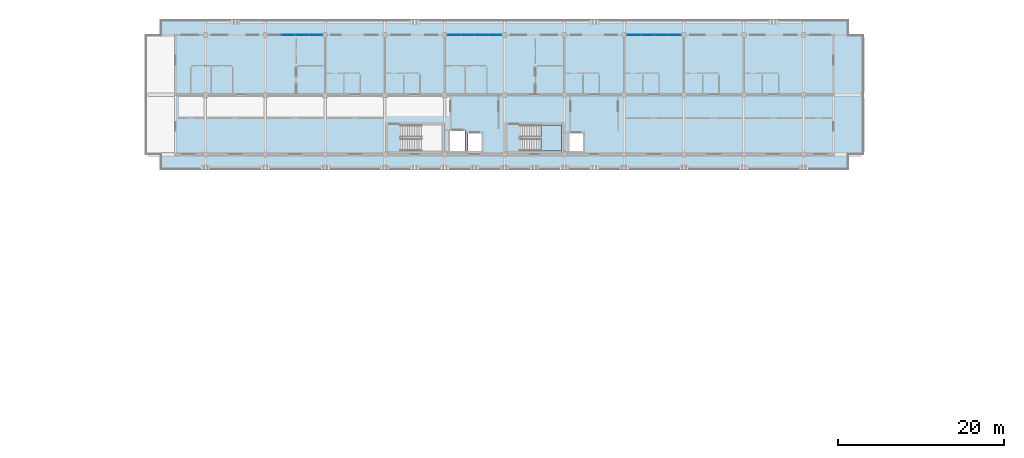
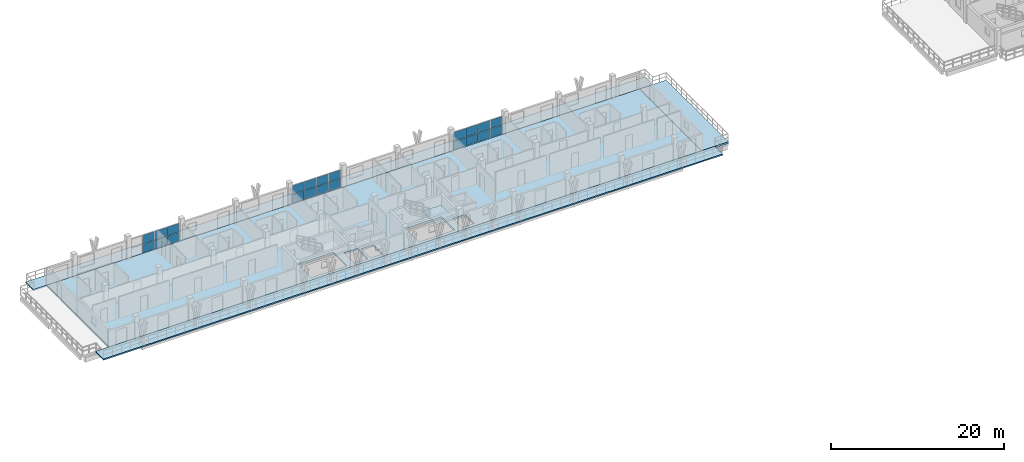
# One storey, part 30 of 60: 22 plates, 5 slabs, 4 elements without a shape of their own.
"""IFC4 building model written with IfcOpenShell, lengths in metres."""

from ifc_helpers import new_model, si_unit, direction, frame, origin, origin_2d, place, context, subcontext, project, spatial, polyline, rectangle, outline, extrude, material, layer, layer_set, type_object, element, aggregate, save


model = new_model("IFC4")

# Units and contexts
model_context = context("Model", 3, precision=1e-05, world=origin(), true_north=direction((0.0, 1.0)))
body_context = subcontext(model_context, "Body", "Model", "MODEL_VIEW")
ifc_project = project(units=[si_unit("LENGTHUNIT", "METRE"), si_unit("AREAUNIT", "SQUARE_METRE"), si_unit("VOLUMEUNIT", "CUBIC_METRE"), si_unit("PLANEANGLEUNIT", "RADIAN"), si_unit("MASSUNIT", "GRAM", prefix="KILO")], contexts=[model_context])

# Site, building, storey
site_placement = place(None, origin())
site = spatial("IfcSite", under=ifc_project, at=site_placement, CompositionType="ELEMENT")
building_placement = place(site_placement, origin())
building = spatial("IfcBuilding", under=site, at=building_placement, Name="Suanplinth Sawtooth Commons", CompositionType="ELEMENT")
storey_placement = place(building_placement, frame((0.0, 0.0, 31.5)))
storey = spatial("IfcBuildingStorey", under=building, at=storey_placement, Name="L09", CompositionType="ELEMENT", Elevation=31.5)

# Curtain wall, plates
ifc_material_1 = material(Name="Anodized aluminium and low-E glazing", Category="aluminium")
curtain_wall_type = type_object("IfcCurtainWallType", Name="CW-06", PredefinedType="USERDEFINED", material=ifc_material_1)
curtain_wall_1_placement = place(storey_placement, origin())
curtain_wall_1 = element("IfcCurtainWall", 1, at=curtain_wall_1_placement, inside=storey, type_object=curtain_wall_type, Name="Curtain Wall CW-L09-A-LOUNGE-2", ObjectType="CURTAIN WALL", PredefinedType="USERDEFINED")
ifc_material_2 = material(Name="Tempered low-E double glazing", Category="glass")
ifc_layer_1 = layer(ifc_material_2, 0.028076171875, Name="Vision low-E insulated glazing unit 28mm")
ifc_layer_set_1 = layer_set([ifc_layer_1], Name="Tempered low-E double glazing")
plate_type = type_object("IfcPlateType", Name="PL-05", PredefinedType="CURTAIN_PANEL", material=ifc_layer_set_1)
plate_1_placement = place(storey_placement, frame((31.574951171875, 122.39990234375, 0.06494140625), z_axis=(0.0, 0.0, 1.0), x_axis=(1.0, 0.0, 0.0)))
plate_1 = element("IfcPlate", 2, at=plate_1_placement, type_object=plate_type, Name="CW-06 panel 2.1", PredefinedType="CURTAIN_PANEL", context=body_context, shape_type="SweptSolid", body=[
    extrude(rectangle(XDim=1.5849609375, YDim=0.028076171875, at=origin_2d()), origin(), (0.0, 0.0, 1.0), 1.217529296875),
])
plate_2_placement = place(storey_placement, frame((31.574951171875, 122.39990234375, 1.34765625), z_axis=(0.0, 0.0, 1.0), x_axis=(1.0, 0.0, 0.0)))
plate_2 = element("IfcPlate", 3, at=plate_2_placement, type_object=plate_type, Name="CW-06 panel 2.2", PredefinedType="CURTAIN_PANEL", context=body_context, shape_type="SweptSolid", body=[
    extrude(rectangle(XDim=1.5849609375, YDim=0.028076171875, at=origin_2d()), origin(), (0.0, 0.0, 1.0), 1.217529296875),
])
plate_3_placement = place(storey_placement, frame((33.22509765625, 122.39990234375, 0.06494140625), z_axis=(0.0, 0.0, 1.0), x_axis=(1.0, 0.0, 0.0)))
plate_3 = element("IfcPlate", 4, at=plate_3_placement, type_object=plate_type, Name="CW-06 panel 3.1", PredefinedType="CURTAIN_PANEL", context=body_context, shape_type="SweptSolid", body=[
    extrude(rectangle(XDim=1.5849609375, YDim=0.028076171875, at=origin_2d()), origin(), (0.0, 0.0, 1.0), 1.217529296875),
])
plate_4_placement = place(storey_placement, frame((33.22509765625, 122.39990234375, 1.34765625), z_axis=(0.0, 0.0, 1.0), x_axis=(1.0, 0.0, 0.0)))
plate_4 = element("IfcPlate", 5, at=plate_4_placement, type_object=plate_type, Name="CW-06 panel 3.2", PredefinedType="CURTAIN_PANEL", context=body_context, shape_type="SweptSolid", body=[
    extrude(rectangle(XDim=1.5849609375, YDim=0.028076171875, at=origin_2d()), origin(), (0.0, 0.0, 1.0), 1.217529296875),
])
plate_5_placement = place(storey_placement, frame((34.858642578125, 122.39990234375, 0.06494140625), z_axis=(0.0, 0.0, 1.0), x_axis=(1.0, 0.0, 0.0)))
plate_5 = element("IfcPlate", 6, at=plate_5_placement, type_object=plate_type, Name="CW-06 panel 4.1", PredefinedType="CURTAIN_PANEL", context=body_context, shape_type="SweptSolid", body=[
    extrude(rectangle(XDim=1.552490234375, YDim=0.028076171875, at=origin_2d()), origin(), (0.0, 0.0, 1.0), 1.217529296875),
])
plate_6_placement = place(storey_placement, frame((34.858642578125, 122.39990234375, 1.34765625), z_axis=(0.0, 0.0, 1.0), x_axis=(1.0, 0.0, 0.0)))
plate_6 = element("IfcPlate", 7, at=plate_6_placement, type_object=plate_type, Name="CW-06 panel 4.2", PredefinedType="CURTAIN_PANEL", context=body_context, shape_type="SweptSolid", body=[
    extrude(rectangle(XDim=1.552490234375, YDim=0.028076171875, at=origin_2d()), origin(), (0.0, 0.0, 1.0), 1.217529296875),
])
aggregate(curtain_wall_1, [plate_1, plate_2, plate_3, plate_4, plate_5, plate_6])

curtain_wall_2_placement = place(storey_placement, origin())
curtain_wall_2 = element("IfcCurtainWall", 8, at=curtain_wall_2_placement, inside=storey, type_object=curtain_wall_type, Name="Curtain Wall CW-L09-A-LOUNGE-5", ObjectType="CURTAIN WALL", PredefinedType="USERDEFINED")
plate_7_placement = place(storey_placement, frame((51.541259765625, 122.39990234375, 0.06494140625), z_axis=(0.0, 0.0, 1.0), x_axis=(1.0, 0.0, 0.0)))
plate_7 = element("IfcPlate", 9, at=plate_7_placement, type_object=plate_type, Name="CW-06 panel 1.1", PredefinedType="CURTAIN_PANEL", context=body_context, shape_type="SweptSolid", body=[
    extrude(rectangle(XDim=1.552490234375, YDim=0.028076171875, at=origin_2d()), origin(), (0.0, 0.0, 1.0), 1.217529296875),
])
plate_8_placement = place(storey_placement, frame((51.541259765625, 122.39990234375, 1.34765625), z_axis=(0.0, 0.0, 1.0), x_axis=(1.0, 0.0, 0.0)))
plate_8 = element("IfcPlate", 10, at=plate_8_placement, type_object=plate_type, Name="CW-06 panel 1.2", PredefinedType="CURTAIN_PANEL", context=body_context, shape_type="SweptSolid", body=[
    extrude(rectangle(XDim=1.552490234375, YDim=0.028076171875, at=origin_2d()), origin(), (0.0, 0.0, 1.0), 1.217529296875),
])
plate_9_placement = place(storey_placement, frame((53.175048828125, 122.39990234375, 0.06494140625), z_axis=(0.0, 0.0, 1.0), x_axis=(1.0, 0.0, 0.0)))
plate_9 = element("IfcPlate", 11, at=plate_9_placement, type_object=plate_type, Name="CW-06 panel 2.1", PredefinedType="CURTAIN_PANEL", context=body_context, shape_type="SweptSolid", body=[
    extrude(rectangle(XDim=1.5849609375, YDim=0.028076171875, at=origin_2d()), origin(), (0.0, 0.0, 1.0), 1.217529296875),
])
plate_10_placement = place(storey_placement, frame((53.175048828125, 122.39990234375, 1.34765625), z_axis=(0.0, 0.0, 1.0), x_axis=(1.0, 0.0, 0.0)))
plate_10 = element("IfcPlate", 12, at=plate_10_placement, type_object=plate_type, Name="CW-06 panel 2.2", PredefinedType="CURTAIN_PANEL", context=body_context, shape_type="SweptSolid", body=[
    extrude(rectangle(XDim=1.5849609375, YDim=0.028076171875, at=origin_2d()), origin(), (0.0, 0.0, 1.0), 1.217529296875),
])
plate_11_placement = place(storey_placement, frame((54.824951171875, 122.39990234375, 0.06494140625), z_axis=(0.0, 0.0, 1.0), x_axis=(1.0, 0.0, 0.0)))
plate_11 = element("IfcPlate", 13, at=plate_11_placement, type_object=plate_type, Name="CW-06 panel 3.1", PredefinedType="CURTAIN_PANEL", context=body_context, shape_type="SweptSolid", body=[
    extrude(rectangle(XDim=1.5849609375, YDim=0.028076171875, at=origin_2d()), origin(), (0.0, 0.0, 1.0), 1.217529296875),
])
plate_12_placement = place(storey_placement, frame((54.824951171875, 122.39990234375, 1.34765625), z_axis=(0.0, 0.0, 1.0), x_axis=(1.0, 0.0, 0.0)))
plate_12 = element("IfcPlate", 14, at=plate_12_placement, type_object=plate_type, Name="CW-06 panel 3.2", PredefinedType="CURTAIN_PANEL", context=body_context, shape_type="SweptSolid", body=[
    extrude(rectangle(XDim=1.5849609375, YDim=0.028076171875, at=origin_2d()), origin(), (0.0, 0.0, 1.0), 1.217529296875),
])
plate_13_placement = place(storey_placement, frame((56.458740234375, 122.39990234375, 0.06494140625), z_axis=(0.0, 0.0, 1.0), x_axis=(1.0, 0.0, 0.0)))
plate_13 = element("IfcPlate", 15, at=plate_13_placement, type_object=plate_type, Name="CW-06 panel 4.1", PredefinedType="CURTAIN_PANEL", context=body_context, shape_type="SweptSolid", body=[
    extrude(rectangle(XDim=1.552490234375, YDim=0.028076171875, at=origin_2d()), origin(), (0.0, 0.0, 1.0), 1.217529296875),
])
plate_14_placement = place(storey_placement, frame((56.458740234375, 122.39990234375, 1.34765625), z_axis=(0.0, 0.0, 1.0), x_axis=(1.0, 0.0, 0.0)))
plate_14 = element("IfcPlate", 16, at=plate_14_placement, type_object=plate_type, Name="CW-06 panel 4.2", PredefinedType="CURTAIN_PANEL", context=body_context, shape_type="SweptSolid", body=[
    extrude(rectangle(XDim=1.552490234375, YDim=0.028076171875, at=origin_2d()), origin(), (0.0, 0.0, 1.0), 1.217529296875),
])
aggregate(curtain_wall_2, [plate_7, plate_8, plate_9, plate_10, plate_11, plate_12, plate_13, plate_14])

curtain_wall_3_placement = place(storey_placement, origin())
curtain_wall_3 = element("IfcCurtainWall", 17, at=curtain_wall_3_placement, inside=storey, type_object=curtain_wall_type, Name="Curtain Wall CW-L09-A-LOUNGE-8", ObjectType="CURTAIN WALL", PredefinedType="USERDEFINED")
plate_15_placement = place(storey_placement, frame((73.141357421875, 122.39990234375, 0.06494140625), z_axis=(0.0, 0.0, 1.0), x_axis=(1.0, 0.0, 0.0)))
plate_15 = element("IfcPlate", 18, at=plate_15_placement, type_object=plate_type, Name="CW-06 panel 1.1", PredefinedType="CURTAIN_PANEL", context=body_context, shape_type="SweptSolid", body=[
    extrude(rectangle(XDim=1.552490234375, YDim=0.028076171875, at=origin_2d()), origin(), (0.0, 0.0, 1.0), 1.217529296875),
])
plate_16_placement = place(storey_placement, frame((73.141357421875, 122.39990234375, 1.34765625), z_axis=(0.0, 0.0, 1.0), x_axis=(1.0, 0.0, 0.0)))
plate_16 = element("IfcPlate", 19, at=plate_16_placement, type_object=plate_type, Name="CW-06 panel 1.2", PredefinedType="CURTAIN_PANEL", context=body_context, shape_type="SweptSolid", body=[
    extrude(rectangle(XDim=1.552490234375, YDim=0.028076171875, at=origin_2d()), origin(), (0.0, 0.0, 1.0), 1.217529296875),
])
plate_17_placement = place(storey_placement, frame((74.77490234375, 122.39990234375, 0.06494140625), z_axis=(0.0, 0.0, 1.0), x_axis=(1.0, 0.0, 0.0)))
plate_17 = element("IfcPlate", 20, at=plate_17_placement, type_object=plate_type, Name="CW-06 panel 2.1", PredefinedType="CURTAIN_PANEL", context=body_context, shape_type="SweptSolid", body=[
    extrude(rectangle(XDim=1.5849609375, YDim=0.028076171875, at=origin_2d()), origin(), (0.0, 0.0, 1.0), 1.217529296875),
])
plate_18_placement = place(storey_placement, frame((74.77490234375, 122.39990234375, 1.34765625), z_axis=(0.0, 0.0, 1.0), x_axis=(1.0, 0.0, 0.0)))
plate_18 = element("IfcPlate", 21, at=plate_18_placement, type_object=plate_type, Name="CW-06 panel 2.2", PredefinedType="CURTAIN_PANEL", context=body_context, shape_type="SweptSolid", body=[
    extrude(rectangle(XDim=1.5849609375, YDim=0.028076171875, at=origin_2d()), origin(), (0.0, 0.0, 1.0), 1.217529296875),
])
plate_19_placement = place(storey_placement, frame((76.425048828125, 122.39990234375, 0.06494140625), z_axis=(0.0, 0.0, 1.0), x_axis=(1.0, 0.0, 0.0)))
plate_19 = element("IfcPlate", 22, at=plate_19_placement, type_object=plate_type, Name="CW-06 panel 3.1", PredefinedType="CURTAIN_PANEL", context=body_context, shape_type="SweptSolid", body=[
    extrude(rectangle(XDim=1.5849609375, YDim=0.028076171875, at=origin_2d()), origin(), (0.0, 0.0, 1.0), 1.217529296875),
])
plate_20_placement = place(storey_placement, frame((76.425048828125, 122.39990234375, 1.34765625), z_axis=(0.0, 0.0, 1.0), x_axis=(1.0, 0.0, 0.0)))
plate_20 = element("IfcPlate", 23, at=plate_20_placement, type_object=plate_type, Name="CW-06 panel 3.2", PredefinedType="CURTAIN_PANEL", context=body_context, shape_type="SweptSolid", body=[
    extrude(rectangle(XDim=1.5849609375, YDim=0.028076171875, at=origin_2d()), origin(), (0.0, 0.0, 1.0), 1.217529296875),
])
plate_21_placement = place(storey_placement, frame((78.058837890625, 122.39990234375, 0.06494140625), z_axis=(0.0, 0.0, 1.0), x_axis=(1.0, 0.0, 0.0)))
plate_21 = element("IfcPlate", 24, at=plate_21_placement, type_object=plate_type, Name="CW-06 panel 4.1", PredefinedType="CURTAIN_PANEL", context=body_context, shape_type="SweptSolid", body=[
    extrude(rectangle(XDim=1.552490234375, YDim=0.028076171875, at=origin_2d()), origin(), (0.0, 0.0, 1.0), 1.217529296875),
])
plate_22_placement = place(storey_placement, frame((78.058837890625, 122.39990234375, 1.34765625), z_axis=(0.0, 0.0, 1.0), x_axis=(1.0, 0.0, 0.0)))
plate_22 = element("IfcPlate", 25, at=plate_22_placement, type_object=plate_type, Name="CW-06 panel 4.2", PredefinedType="CURTAIN_PANEL", context=body_context, shape_type="SweptSolid", body=[
    extrude(rectangle(XDim=1.552490234375, YDim=0.028076171875, at=origin_2d()), origin(), (0.0, 0.0, 1.0), 1.217529296875),
])
aggregate(curtain_wall_3, [plate_15, plate_16, plate_17, plate_18, plate_19, plate_20, plate_21, plate_22])

# Slabs
ifc_material_3 = material(Name="Precast concrete C40/50", Category="concrete")
ifc_layer_2 = layer(ifc_material_3, 0.179931640625, Name="Wrap-around cantilevered precast balcony slab 180mm")
ifc_layer_set_2 = layer_set([ifc_layer_2], Name="Precast concrete C40/50")
slab_type_1 = type_object("IfcSlabType", Name="S-BL01", PredefinedType="FLOOR", material=ifc_layer_set_2)
slab_1_placement = place(storey_placement, frame((0.0, 0.0, -0.179931640625)))
element("IfcSlab", 26, at=slab_1_placement, inside=storey, type_object=slab_type_1, Name="L09 Block A Wrap-Around Balcony N", PredefinedType="FLOOR", context=body_context, shape_type="SweptSolid", body=[
    extrude(outline(polyline([(16.199951171875, 124.199951171875), (99.0, 124.199951171875), (99.0, 122.39990234375), (16.199951171875, 122.39990234375), (16.199951171875, 124.199951171875)])), origin(), (0.0, 0.0, 1.0), 0.179931640625),
])
slab_2_placement = place(storey_placement, frame((0.0, 0.0, -0.179931640625)))
element("IfcSlab", 27, at=slab_2_placement, inside=storey, type_object=slab_type_1, Name="L09 Block A Wrap-Around Balcony S", PredefinedType="FLOOR", context=body_context, shape_type="SweptSolid", body=[
    extrude(outline(polyline([(99.0, 106.199951171875), (16.199951171875, 106.199951171875), (16.199951171875, 108.0), (99.0, 108.0), (99.0, 106.199951171875)])), origin(), (0.0, 0.0, 1.0), 0.179931640625),
])
ifc_layer_3 = layer(ifc_material_3, 0.25, Name="Precast hollow-core + topping floor slab 250mm")
ifc_layer_set_3 = layer_set([ifc_layer_3], Name="Precast concrete C40/50")
slab_type_2 = type_object("IfcSlabType", Name="S-FL01", PredefinedType="FLOOR", material=ifc_layer_set_3)
slab_3_placement = place(storey_placement, frame((0.0, 0.0, -0.25)))
element("IfcSlab", 28, at=slab_3_placement, inside=storey, type_object=slab_type_2, Name="L09 Block A Structural Floor Plate", PredefinedType="FLOOR", context=body_context, shape_type="SweptSolid", body=[
    extrude(outline(polyline([(18.0, 108.0), (97.199951171875, 108.0), (97.199951171875, 122.39990234375), (18.0, 122.39990234375), (18.0, 108.0)]), holes=[polyline([(45.2900390625, 108.449951171875), (50.050048828125, 108.449951171875), (50.050048828125, 111.550048828125), (45.2900390625, 111.550048828125), (45.2900390625, 108.449951171875)]), polyline([(51.050048828125, 108.449951171875), (52.85009765625, 108.449951171875), (52.85009765625, 110.85009765625), (51.050048828125, 110.85009765625), (51.050048828125, 108.449951171875)]), polyline([(53.199951171875, 108.449951171875), (54.800048828125, 108.449951171875), (54.800048828125, 110.550048828125), (53.199951171875, 110.550048828125), (53.199951171875, 108.449951171875)]), polyline([(59.68994140625, 108.449951171875), (64.449951171875, 108.449951171875), (64.449951171875, 111.550048828125), (59.68994140625, 111.550048828125), (59.68994140625, 108.449951171875)]), polyline([(65.449951171875, 108.449951171875), (67.050048828125, 108.449951171875), (67.050048828125, 110.550048828125), (65.449951171875, 110.550048828125), (65.449951171875, 108.449951171875)])]), origin(), (0.0, 0.0, 1.0), 0.25),
])

# Stair, slab
ifc_material_4 = material(Name="Concrete C40/50", Category="concrete")
stair_type = type_object("IfcStairType", Name="ST-04", PredefinedType="USERDEFINED", material=ifc_material_4)
stair_placement = place(storey_placement, origin())
stair = element("IfcStair", 29, at=stair_placement, inside=storey, type_object=stair_type, Name="L09 Exit Stair ST-N2", ObjectType="TWO_RETURN_STAIR", PredefinedType="USERDEFINED")
ifc_layer_4 = layer(ifc_material_4, 0.199951171875, Name="Reinforced concrete stair and ramp landing slab 200mm")
ifc_layer_set_4 = layer_set([ifc_layer_4], Name="Concrete C40/50")
slab_type_3 = type_object("IfcSlabType", Name="S-LD01", PredefinedType="LANDING", material=ifc_layer_set_4)
slab_4_placement = place(storey_placement, frame((0.0, 0.0, 1.449951171875)))
slab_4 = element("IfcSlab", 30, at=slab_4_placement, type_object=slab_type_3, Name="ST-04 landing 1", PredefinedType="LANDING", context=body_context, shape_type="SweptSolid", body=[
    extrude(outline(polyline([(62.014892578125, 108.449951171875), (64.449951171875, 108.449951171875), (64.449951171875, 111.550048828125), (62.014892578125, 111.550048828125), (62.014892578125, 108.449951171875)])), origin(), (0.0, 0.0, 1.0), 0.199951171875),
])
aggregate(stair, [slab_4])

# Slab
ifc_layer_5 = layer(ifc_material_4, 0.239990234375, Name="Stepped sky-terrace & courtyard garden slab 240mm")
ifc_layer_set_5 = layer_set([ifc_layer_5], Name="Concrete C40/50")
slab_type_4 = type_object("IfcSlabType", Name="S-TR01", PredefinedType="FLOOR", material=ifc_layer_set_5)
slab_5_placement = place(storey_placement, frame((0.0, 0.0, -0.239990234375)))
element("IfcSlab", 31, at=slab_5_placement, inside=storey, type_object=slab_type_4, Name="L09 Block A Stepped Sky-Terrace 2", PredefinedType="FLOOR", context=body_context, shape_type="SweptSolid", body=[
    extrude(outline(polyline([(100.800048828125, 122.39990234375), (100.800048828125, 108.0), (97.199951171875, 108.0), (97.199951171875, 122.39990234375), (100.800048828125, 122.39990234375)])), origin(), (0.0, 0.0, 1.0), 0.239990234375),
])

save(model, "model.ifc")
